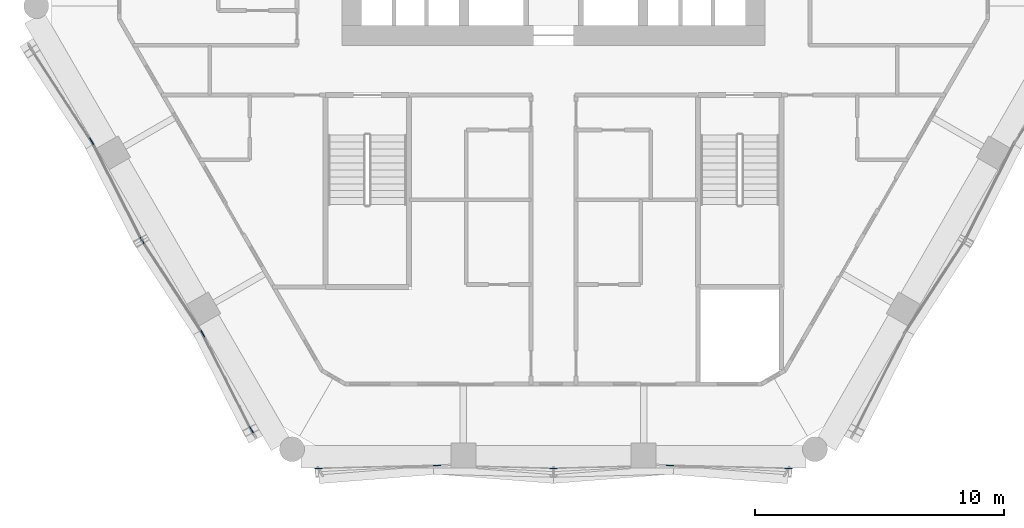
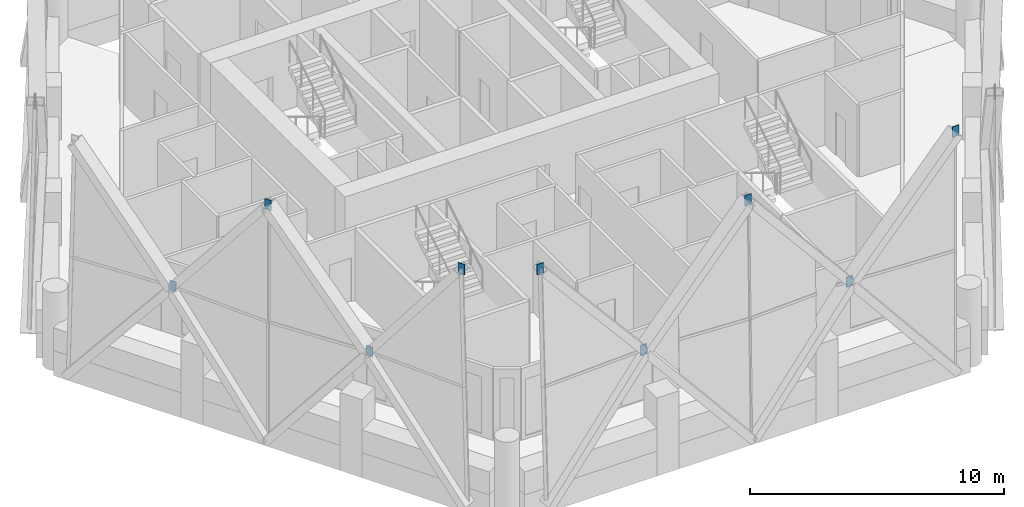
# One storey, part 15 of 19: 9 discrete accessories.
"""IFC4 building model written with IfcOpenShell, lengths in metres."""

from ifc_helpers import new_model, si_unit, direction, frame, origin, origin_2d, place, context, subcontext, project, spatial, rectangle, extrude, material, layer, layer_set, type_object, element, save


model = new_model("IFC4")

# Units and contexts
model_context = context("Model", 3, precision=1e-05, world=origin(), true_north=direction((0.0, 1.0)))
body_context = subcontext(model_context, "Body", "Model", "MODEL_VIEW")
ifc_project = project(units=[si_unit("LENGTHUNIT", "METRE"), si_unit("AREAUNIT", "SQUARE_METRE"), si_unit("VOLUMEUNIT", "CUBIC_METRE"), si_unit("PLANEANGLEUNIT", "RADIAN"), si_unit("MASSUNIT", "GRAM", prefix="KILO")], contexts=[model_context])

# Site, building, storey
site_placement = place(None, origin())
site = spatial("IfcSite", under=ifc_project, at=site_placement, CompositionType="ELEMENT")
building_placement = place(site_placement, origin())
building = spatial("IfcBuilding", under=site, at=building_placement, Name="Ostrander Bayou Hotel Tower", CompositionType="ELEMENT")
storey_placement = place(building_placement, frame((0.0, 0.0, 164.5)))
storey = spatial("IfcBuildingStorey", under=building, at=storey_placement, Name="L40", CompositionType="ELEMENT", Elevation=164.5)

# Discrete accessories
ifc_material = material(Name="Steel ASTM A572 Gr 50", Category="steel")
ifc_layer = layer(ifc_material, 0.030029296875)
ifc_layer_set = layer_set([ifc_layer], Name="GP1 gusset plate 30 mm")
discrete_accessory_type = type_object("IfcDiscreteAccessoryType", Name="GP1 gusset plate 30 mm", PredefinedType="BRACKET", material=ifc_layer_set)
for number, where, z_axis, x_axis, name in (
    (1, (-18.540771484375, -5.55126953125, 4.77490234375), (0.0, 0.0, 1.0), (0.5, -0.866025403784, 0.0), "GP1 gusset plate lat 256"),
    (2, (-16.51513671875, -9.534912109375, 10.39990234375), (0.0, 0.0, 1.0), (0.5, -0.866025403784, 0.0), "GP1 gusset plate lat 258"),
    (3, (-14.077880859375, -13.281005859375, 4.77490234375), (0.0, 0.0, 1.0), (0.5, -0.866025403784, 0.0), "GP1 gusset plate lat 259"),
    (4, (-12.123046875, -17.14208984375, 10.39990234375), (0.0, 0.0, 1.0), (0.5, -0.866025403784, 0.0), "GP1 gusset plate lat 260"),
    (5, (-4.6826171875, -18.57275390625, 4.77490234375), (0.0, 0.0, 1.0), (1.0, 0.0, 0.0), "GP1 gusset plate lat 261"),
    (6, (-9.435791015625, -18.693603515625, 10.39990234375), (0.0, 0.0, 1.0), (1.0, 0.0, 0.0), "GP1 gusset plate lat 262"),
    (7, (0.0, -18.693603515625, 10.39990234375), (0.0, 0.0, 1.0), (1.0, 0.0, 0.0), "GP1 gusset plate lat 263"),
    (8, (4.6826171875, -18.57275390625, 4.77490234375), (0.0, 0.0, 1.0), (1.0, 0.0, 0.0), "GP1 gusset plate lat 264"),
    (9, (9.435791015625, -18.693603515625, 10.39990234375), (0.0, 0.0, 1.0), (1.0, 0.0, 0.0), "GP1 gusset plate lat 265"),
):
    element("IfcDiscreteAccessory", number, at=place(storey_placement, frame(where, z_axis=z_axis, x_axis=x_axis)), inside=storey, type_object=discrete_accessory_type, Name=name, PredefinedType="BRACKET", context=body_context, shape_type="SweptSolid", body=[
        extrude(rectangle(XDim=0.300048828125, YDim=0.030029296875, at=origin_2d()), origin(), (0.0, 0.0, 1.0), 0.5),
    ])

save(model, "model.ifc")
